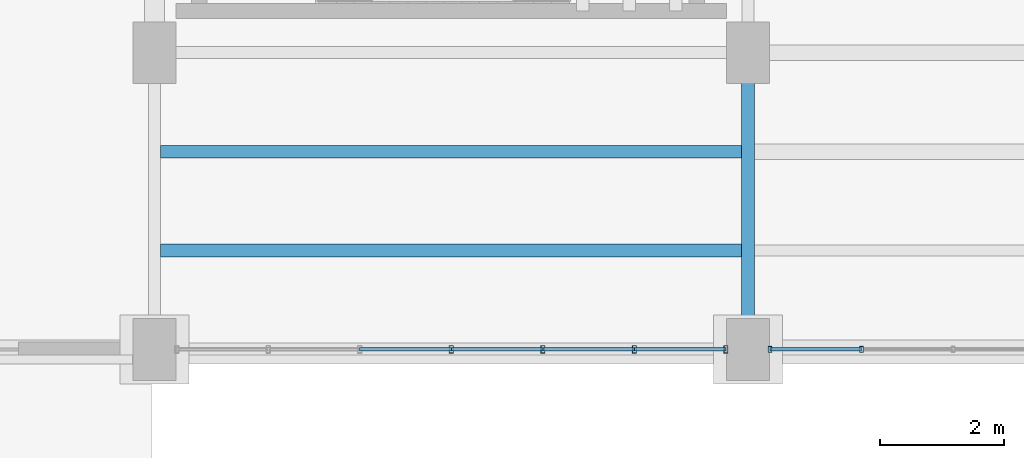
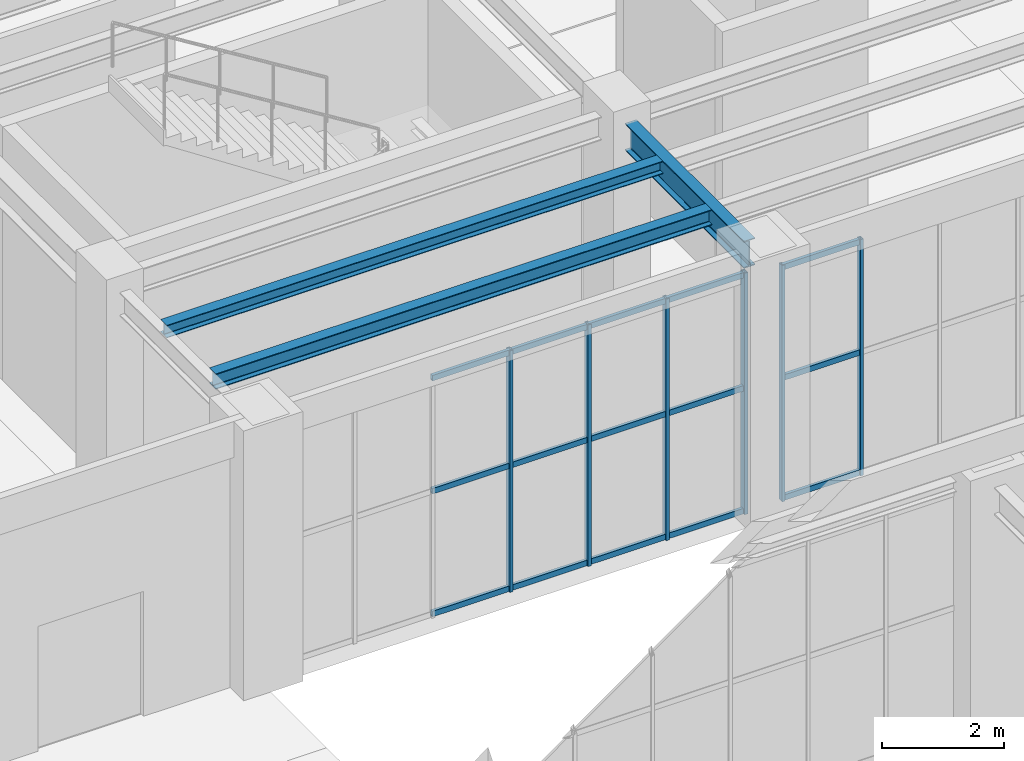
# One storey, part 55 of 164: 21 members, 3 beams, 2 elements without a shape of their own.
"""IFC4 building model written with IfcOpenShell, lengths in metres."""

from ifc_helpers import new_model, si_unit, direction, frame, origin, origin_2d, place, context, subcontext, project, spatial, hollow_rectangle, i_section, extrude, material, material_profile, profile_set, type_object, element, aggregate, save


model = new_model("IFC4")

# Units and contexts
model_context = context("Model", 3, precision=1e-05, world=origin(), true_north=direction((0.0, 1.0)))
body_context = subcontext(model_context, "Body", "Model", "MODEL_VIEW")
ifc_project = project(units=[si_unit("LENGTHUNIT", "METRE"), si_unit("AREAUNIT", "SQUARE_METRE"), si_unit("VOLUMEUNIT", "CUBIC_METRE"), si_unit("PLANEANGLEUNIT", "RADIAN"), si_unit("MASSUNIT", "GRAM", prefix="KILO")], contexts=[model_context])

# Site, building, storey
site_placement = place(None, origin())
site = spatial("IfcSite", under=ifc_project, at=site_placement, CompositionType="ELEMENT")
building_placement = place(site_placement, origin())
building = spatial("IfcBuilding", under=site, at=building_placement, Name="Mavantir Sound Aquarium", CompositionType="ELEMENT")
storey_placement = place(building_placement, origin())
storey = spatial("IfcBuildingStorey", under=building, at=storey_placement, Name="L00", CompositionType="ELEMENT", Elevation=0.0)

# Beams
ifc_material_1 = material(Name="Structural Steel ASTM A992 Gr50", Category="steel")
ifc_material_profile_1 = material_profile(ifc_material_1, i_section(OverallWidth=0.202880859375, OverallDepth=0.251953125, WebThickness=0.008056640625, FlangeThickness=0.013427734375, FilletRadius=0.011962890625, at=origin_2d()), Name="W250X58")
ifc_profile_set_1 = profile_set([ifc_material_profile_1], Name="Structural Steel ASTM A992 Gr50")
beam_type_1 = type_object("IfcBeamType", Name="BM-W250X58-I", PredefinedType="JOIST", material=ifc_profile_set_1)
beam_1_placement = place(storey_placement, frame((108.096923828125, 39.199951171875, 4.93994140625), z_axis=(1.0, 0.0, 0.0), x_axis=(0.0, 1.0, 0.0)))
element("IfcBeam", 1, at=beam_1_placement, inside=storey, type_object=beam_type_1, Name="L00 secondary floor joist SJ-25 508", PredefinedType="JOIST", context=body_context, shape_type="SweptSolid", body=[
    extrude(i_section(OverallWidth=0.202880859375, OverallDepth=0.251953125, WebThickness=0.008056640625, FlangeThickness=0.013427734375, FilletRadius=0.011962890625, at=origin_2d()), origin(), (0.0, 0.0, 1.0), 9.39697265625),
])
ifc_material_profile_2 = material_profile(ifc_material_1, i_section(OverallWidth=0.205078125, OverallDepth=0.31005859375, WebThickness=0.009521484375, FlangeThickness=0.016357421875, FilletRadius=0.012939453125, at=origin_2d()), Name="W310X74")
ifc_profile_set_2 = profile_set([ifc_material_profile_2], Name="Structural Steel ASTM A992 Gr50")
beam_type_2 = type_object("IfcBeamType", Name="BM-W310X74-I", PredefinedType="JOIST", material=ifc_profile_set_2)
beam_2_placement = place(storey_placement, frame((108.096923828125, 37.60009765625, 4.910888671875), z_axis=(1.0, 0.0, 0.0), x_axis=(0.0, 1.0, 0.0)))
element("IfcBeam", 2, at=beam_2_placement, inside=storey, type_object=beam_type_2, Name="L00 secondary floor joist SJ-31 507", PredefinedType="JOIST", context=body_context, shape_type="SweptSolid", body=[
    extrude(i_section(OverallWidth=0.205078125, OverallDepth=0.31005859375, WebThickness=0.009521484375, FlangeThickness=0.016357421875, FilletRadius=0.012939453125, at=origin_2d()), origin(), (0.0, 0.0, 1.0), 9.39697265625),
])
ifc_material_profile_3 = material_profile(ifc_material_1, i_section(OverallWidth=0.2119140625, OverallDepth=0.5439453125, WebThickness=0.01318359375, FlangeThickness=0.021240234375, FilletRadius=0.01806640625, at=origin_2d()), Name="W530X123")
ifc_profile_set_3 = profile_set([ifc_material_profile_3], Name="Structural Steel ASTM A992 Gr50")
beam_type_3 = type_object("IfcBeamType", Name="BM-W530X123-I", PredefinedType="BEAM", material=ifc_profile_set_3)
beam_3_placement = place(storey_placement, frame((117.60009765625, 36.449951171875, 4.7939453125), z_axis=(0.0, 1.0, 0.0), x_axis=(-1.0, 0.0, 0.0)))
element("IfcBeam", 3, at=beam_3_placement, inside=storey, type_object=beam_type_3, Name="L00 primary girder SB-53 974", PredefinedType="BEAM", context=body_context, shape_type="SweptSolid", body=[
    extrude(i_section(OverallWidth=0.2119140625, OverallDepth=0.5439453125, WebThickness=0.01318359375, FlangeThickness=0.021240234375, FilletRadius=0.01806640625, at=origin_2d()), origin(), (0.0, 0.0, 1.0), 3.900146484375),
])

# Curtain wall, members
ifc_material_2 = material(Name="Anodised Marine Aluminium and Low-E Glass", Category="aluminium")
curtain_wall_type_1 = type_object("IfcCurtainWallType", Name="CW-T21", PredefinedType="USERDEFINED", material=ifc_material_2)
curtain_wall_1_placement = place(storey_placement, origin())
curtain_wall_1 = element("IfcCurtainWall", 4, at=curtain_wall_1_placement, inside=storey, type_object=curtain_wall_type_1, Name="L00 unitised curtain wall CW-21 21", ObjectType="UNITISED GLAZING", PredefinedType="USERDEFINED")
ifc_material_3 = material(Name="Anodised Marine Aluminium 6063-T6", Category="aluminium")
ifc_material_profile_4 = material_profile(ifc_material_3, hollow_rectangle(XDim=0.06005859375, YDim=0.10009765625, WallThickness=0.00390625, at=origin_2d()), Name="ALU-MULLION-100X60")
ifc_profile_set_4 = profile_set([ifc_material_profile_4], Name="Anodised Marine Aluminium 6063-T6")
member_type_1 = type_object("IfcMemberType", Name="CW-MUL-100", PredefinedType="MULLION", material=ifc_profile_set_4)
member_1_placement = place(storey_placement, frame((117.9580078125, 36.0, 0.0), z_axis=(0.0, 0.0, 1.0), x_axis=(1.0, 0.0, 0.0)))
member_1 = element("IfcMember", 5, at=member_1_placement, type_object=member_type_1, Name="CW-L00-021 vertical mullion 1", PredefinedType="MULLION", context=body_context, shape_type="SweptSolid", body=[
    extrude(hollow_rectangle(XDim=0.06005859375, YDim=0.10009765625, WallThickness=0.00390625, at=origin_2d()), origin(), (0.0, 0.0, 1.0), 4.72802734375),
])
member_2_placement = place(storey_placement, frame((119.438720703125, 36.0, 0.0), z_axis=(0.0, 0.0, 1.0), x_axis=(1.0, 0.0, 0.0)))
member_2 = element("IfcMember", 6, at=member_2_placement, type_object=member_type_1, Name="CW-L00-021 vertical mullion 2", PredefinedType="MULLION", context=body_context, shape_type="SweptSolid", body=[
    extrude(hollow_rectangle(XDim=0.06005859375, YDim=0.10009765625, WallThickness=0.00390625, at=origin_2d()), origin(), (0.0, 0.0, 1.0), 4.72802734375),
])

curtain_wall_type_2 = type_object("IfcCurtainWallType", Name="CW-T20", PredefinedType="USERDEFINED", material=ifc_material_2)
curtain_wall_2_placement = place(storey_placement, origin())
curtain_wall_2 = element("IfcCurtainWall", 7, at=curtain_wall_2_placement, inside=storey, type_object=curtain_wall_type_2, Name="L00 unitised curtain wall CW-20 20", ObjectType="UNITISED GLAZING", PredefinedType="USERDEFINED")
ifc_material_profile_5 = material_profile(ifc_material_3, hollow_rectangle(XDim=0.06494140625, YDim=0.1201171875, WallThickness=0.00390625, at=origin_2d()), Name="ALU-MULLION-120X65")
ifc_profile_set_5 = profile_set([ifc_material_profile_5], Name="Anodised Marine Aluminium 6063-T6")
member_type_2 = type_object("IfcMemberType", Name="CW-MUL-120", PredefinedType="MULLION", material=ifc_profile_set_5)
member_3_placement = place(storey_placement, frame((112.800048828125, 36.0, 0.0), z_axis=(0.0, 0.0, 1.0), x_axis=(1.0, 0.0, 0.0)))
member_3 = element("IfcMember", 8, at=member_3_placement, type_object=member_type_2, Name="CW-L00-020 vertical mullion 4", PredefinedType="MULLION", context=body_context, shape_type="SweptSolid", body=[
    extrude(hollow_rectangle(XDim=0.06494140625, YDim=0.1201171875, WallThickness=0.00390625, at=origin_2d()), origin(), (0.0, 0.0, 1.0), 4.8330078125),
])
member_4_placement = place(storey_placement, frame((114.28076171875, 36.0, 0.0), z_axis=(0.0, 0.0, 1.0), x_axis=(1.0, 0.0, 0.0)))
member_4 = element("IfcMember", 9, at=member_4_placement, type_object=member_type_2, Name="CW-L00-020 vertical mullion 5", PredefinedType="MULLION", context=body_context, shape_type="SweptSolid", body=[
    extrude(hollow_rectangle(XDim=0.06494140625, YDim=0.1201171875, WallThickness=0.00390625, at=origin_2d()), origin(), (0.0, 0.0, 1.0), 4.8330078125),
])
member_5_placement = place(storey_placement, frame((115.76123046875, 36.0, 0.0), z_axis=(0.0, 0.0, 1.0), x_axis=(1.0, 0.0, 0.0)))
member_5 = element("IfcMember", 10, at=member_5_placement, type_object=member_type_2, Name="CW-L00-020 vertical mullion 6", PredefinedType="MULLION", context=body_context, shape_type="SweptSolid", body=[
    extrude(hollow_rectangle(XDim=0.06494140625, YDim=0.1201171875, WallThickness=0.00390625, at=origin_2d()), origin(), (0.0, 0.0, 1.0), 4.8330078125),
])
member_6_placement = place(storey_placement, frame((117.241943359375, 36.0, 0.0), z_axis=(0.0, 0.0, 1.0), x_axis=(1.0, 0.0, 0.0)))
member_6 = element("IfcMember", 11, at=member_6_placement, type_object=member_type_2, Name="CW-L00-020 vertical mullion 7", PredefinedType="MULLION", context=body_context, shape_type="SweptSolid", body=[
    extrude(hollow_rectangle(XDim=0.06494140625, YDim=0.1201171875, WallThickness=0.00390625, at=origin_2d()), origin(), (0.0, 0.0, 1.0), 4.8330078125),
])
ifc_material_profile_6 = material_profile(ifc_material_3, hollow_rectangle(XDim=0.06005859375, YDim=0.110107421875, WallThickness=0.00390625, at=origin_2d()), Name="ALU-TRANSOM-110X60")
ifc_profile_set_6 = profile_set([ifc_material_profile_6], Name="Anodised Marine Aluminium 6063-T6")
member_type_3 = type_object("IfcMemberType", Name="CW-TRN-110", PredefinedType="USERDEFINED", material=ifc_profile_set_6)
member_7_placement = place(storey_placement, frame((111.3193359375, 36.0, 0.054931640625), z_axis=(1.0, 0.0, 0.0), x_axis=(0.0, 1.0, 0.0)))
member_7 = element("IfcMember", 12, at=member_7_placement, type_object=member_type_3, Name="CW-L00-020 transom 3.1", ObjectType="TRANSOM", PredefinedType="USERDEFINED", context=body_context, shape_type="SweptSolid", body=[
    extrude(hollow_rectangle(XDim=0.06005859375, YDim=0.110107421875, WallThickness=0.00390625, at=origin_2d()), origin(), (0.0, 0.0, 1.0), 1.480712890625),
])
member_8_placement = place(storey_placement, frame((111.3193359375, 36.0, 2.51318359375), z_axis=(1.0, 0.0, 0.0), x_axis=(0.0, 1.0, 0.0)))
member_8 = element("IfcMember", 13, at=member_8_placement, type_object=member_type_3, Name="CW-L00-020 transom 3.2", ObjectType="TRANSOM", PredefinedType="USERDEFINED", context=body_context, shape_type="SweptSolid", body=[
    extrude(hollow_rectangle(XDim=0.06005859375, YDim=0.110107421875, WallThickness=0.00390625, at=origin_2d()), origin(), (0.0, 0.0, 1.0), 1.480712890625),
])
member_9_placement = place(storey_placement, frame((111.3193359375, 36.0, 4.778076171875), z_axis=(1.0, 0.0, 0.0), x_axis=(0.0, 1.0, 0.0)))
member_9 = element("IfcMember", 14, at=member_9_placement, type_object=member_type_3, Name="CW-L00-020 transom 3.3", ObjectType="TRANSOM", PredefinedType="USERDEFINED", context=body_context, shape_type="SweptSolid", body=[
    extrude(hollow_rectangle(XDim=0.06005859375, YDim=0.110107421875, WallThickness=0.00390625, at=origin_2d()), origin(), (0.0, 0.0, 1.0), 1.480712890625),
])
member_10_placement = place(storey_placement, frame((112.800048828125, 36.0, 0.054931640625), z_axis=(1.0, 0.0, 0.0), x_axis=(0.0, 1.0, 0.0)))
member_10 = element("IfcMember", 15, at=member_10_placement, type_object=member_type_3, Name="CW-L00-020 transom 4.1", ObjectType="TRANSOM", PredefinedType="USERDEFINED", context=body_context, shape_type="SweptSolid", body=[
    extrude(hollow_rectangle(XDim=0.06005859375, YDim=0.110107421875, WallThickness=0.00390625, at=origin_2d()), origin(), (0.0, 0.0, 1.0), 1.480712890625),
])
member_11_placement = place(storey_placement, frame((112.800048828125, 36.0, 2.51318359375), z_axis=(1.0, 0.0, 0.0), x_axis=(0.0, 1.0, 0.0)))
member_11 = element("IfcMember", 16, at=member_11_placement, type_object=member_type_3, Name="CW-L00-020 transom 4.2", ObjectType="TRANSOM", PredefinedType="USERDEFINED", context=body_context, shape_type="SweptSolid", body=[
    extrude(hollow_rectangle(XDim=0.06005859375, YDim=0.110107421875, WallThickness=0.00390625, at=origin_2d()), origin(), (0.0, 0.0, 1.0), 1.480712890625),
])
member_12_placement = place(storey_placement, frame((112.800048828125, 36.0, 4.778076171875), z_axis=(1.0, 0.0, 0.0), x_axis=(0.0, 1.0, 0.0)))
member_12 = element("IfcMember", 17, at=member_12_placement, type_object=member_type_3, Name="CW-L00-020 transom 4.3", ObjectType="TRANSOM", PredefinedType="USERDEFINED", context=body_context, shape_type="SweptSolid", body=[
    extrude(hollow_rectangle(XDim=0.06005859375, YDim=0.110107421875, WallThickness=0.00390625, at=origin_2d()), origin(), (0.0, 0.0, 1.0), 1.480712890625),
])
member_13_placement = place(storey_placement, frame((114.28076171875, 36.0, 0.054931640625), z_axis=(1.0, 0.0, 0.0), x_axis=(0.0, 1.0, 0.0)))
member_13 = element("IfcMember", 18, at=member_13_placement, type_object=member_type_3, Name="CW-L00-020 transom 5.1", ObjectType="TRANSOM", PredefinedType="USERDEFINED", context=body_context, shape_type="SweptSolid", body=[
    extrude(hollow_rectangle(XDim=0.06005859375, YDim=0.110107421875, WallThickness=0.00390625, at=origin_2d()), origin(), (0.0, 0.0, 1.0), 1.48046875),
])
member_14_placement = place(storey_placement, frame((114.28076171875, 36.0, 2.51318359375), z_axis=(1.0, 0.0, 0.0), x_axis=(0.0, 1.0, 0.0)))
member_14 = element("IfcMember", 19, at=member_14_placement, type_object=member_type_3, Name="CW-L00-020 transom 5.2", ObjectType="TRANSOM", PredefinedType="USERDEFINED", context=body_context, shape_type="SweptSolid", body=[
    extrude(hollow_rectangle(XDim=0.06005859375, YDim=0.110107421875, WallThickness=0.00390625, at=origin_2d()), origin(), (0.0, 0.0, 1.0), 1.48046875),
])
member_15_placement = place(storey_placement, frame((114.28076171875, 36.0, 4.778076171875), z_axis=(1.0, 0.0, 0.0), x_axis=(0.0, 1.0, 0.0)))
member_15 = element("IfcMember", 20, at=member_15_placement, type_object=member_type_3, Name="CW-L00-020 transom 5.3", ObjectType="TRANSOM", PredefinedType="USERDEFINED", context=body_context, shape_type="SweptSolid", body=[
    extrude(hollow_rectangle(XDim=0.06005859375, YDim=0.110107421875, WallThickness=0.00390625, at=origin_2d()), origin(), (0.0, 0.0, 1.0), 1.48046875),
])
member_16_placement = place(storey_placement, frame((115.76123046875, 36.0, 0.054931640625), z_axis=(1.0, 0.0, 0.0), x_axis=(0.0, 1.0, 0.0)))
member_16 = element("IfcMember", 21, at=member_16_placement, type_object=member_type_3, Name="CW-L00-020 transom 6.1", ObjectType="TRANSOM", PredefinedType="USERDEFINED", context=body_context, shape_type="SweptSolid", body=[
    extrude(hollow_rectangle(XDim=0.06005859375, YDim=0.110107421875, WallThickness=0.00390625, at=origin_2d()), origin(), (0.0, 0.0, 1.0), 1.480712890625),
])
member_17_placement = place(storey_placement, frame((115.76123046875, 36.0, 2.51318359375), z_axis=(1.0, 0.0, 0.0), x_axis=(0.0, 1.0, 0.0)))
member_17 = element("IfcMember", 22, at=member_17_placement, type_object=member_type_3, Name="CW-L00-020 transom 6.2", ObjectType="TRANSOM", PredefinedType="USERDEFINED", context=body_context, shape_type="SweptSolid", body=[
    extrude(hollow_rectangle(XDim=0.06005859375, YDim=0.110107421875, WallThickness=0.00390625, at=origin_2d()), origin(), (0.0, 0.0, 1.0), 1.480712890625),
])
member_18_placement = place(storey_placement, frame((115.76123046875, 36.0, 4.778076171875), z_axis=(1.0, 0.0, 0.0), x_axis=(0.0, 1.0, 0.0)))
member_18 = element("IfcMember", 23, at=member_18_placement, type_object=member_type_3, Name="CW-L00-020 transom 6.3", ObjectType="TRANSOM", PredefinedType="USERDEFINED", context=body_context, shape_type="SweptSolid", body=[
    extrude(hollow_rectangle(XDim=0.06005859375, YDim=0.110107421875, WallThickness=0.00390625, at=origin_2d()), origin(), (0.0, 0.0, 1.0), 1.480712890625),
])
aggregate(curtain_wall_2, [member_3, member_4, member_5, member_6, member_7, member_8, member_9, member_10, member_11, member_12, member_13, member_14, member_15, member_16, member_17, member_18])

# Member
member_19_placement = place(storey_placement, frame((117.9580078125, 36.0, 0.054931640625), z_axis=(1.0, 0.0, 0.0), x_axis=(0.0, 1.0, 0.0)))
member_19 = element("IfcMember", 24, at=member_19_placement, type_object=member_type_3, Name="CW-L00-021 transom 1.1", ObjectType="TRANSOM", PredefinedType="USERDEFINED", context=body_context, shape_type="SweptSolid", body=[
    extrude(hollow_rectangle(XDim=0.06005859375, YDim=0.110107421875, WallThickness=0.00390625, at=origin_2d()), origin(), (0.0, 0.0, 1.0), 1.480712890625),
])

member_20_placement = place(storey_placement, frame((117.9580078125, 36.0, 2.45849609375), z_axis=(1.0, 0.0, 0.0), x_axis=(0.0, 1.0, 0.0)))
member_20 = element("IfcMember", 25, at=member_20_placement, type_object=member_type_3, Name="CW-L00-021 transom 1.2", ObjectType="TRANSOM", PredefinedType="USERDEFINED", context=body_context, shape_type="SweptSolid", body=[
    extrude(hollow_rectangle(XDim=0.06005859375, YDim=0.110107421875, WallThickness=0.00390625, at=origin_2d()), origin(), (0.0, 0.0, 1.0), 1.480712890625),
])

member_21_placement = place(storey_placement, frame((117.9580078125, 36.0, 4.673095703125), z_axis=(1.0, 0.0, 0.0), x_axis=(0.0, 1.0, 0.0)))
member_21 = element("IfcMember", 26, at=member_21_placement, type_object=member_type_3, Name="CW-L00-021 transom 1.3", ObjectType="TRANSOM", PredefinedType="USERDEFINED", context=body_context, shape_type="SweptSolid", body=[
    extrude(hollow_rectangle(XDim=0.06005859375, YDim=0.110107421875, WallThickness=0.00390625, at=origin_2d()), origin(), (0.0, 0.0, 1.0), 1.480712890625),
])

aggregate(curtain_wall_1, [member_1, member_2, member_19, member_20, member_21])

save(model, "model.ifc")
